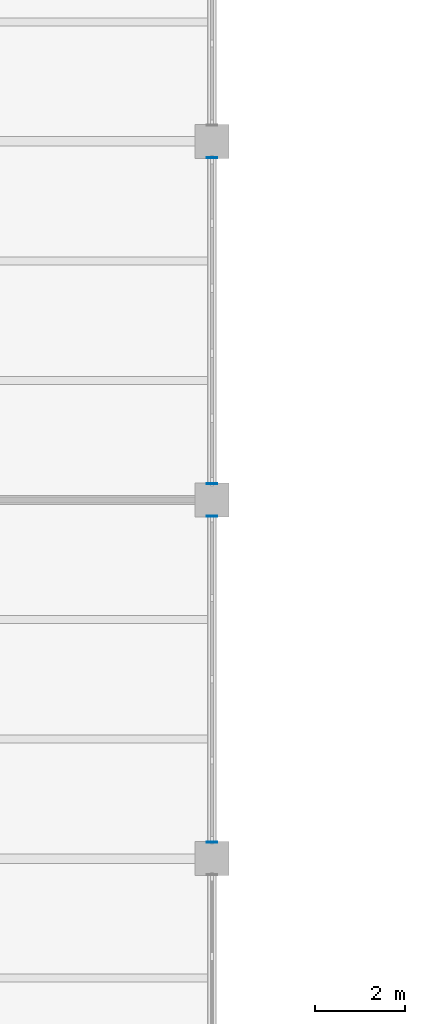
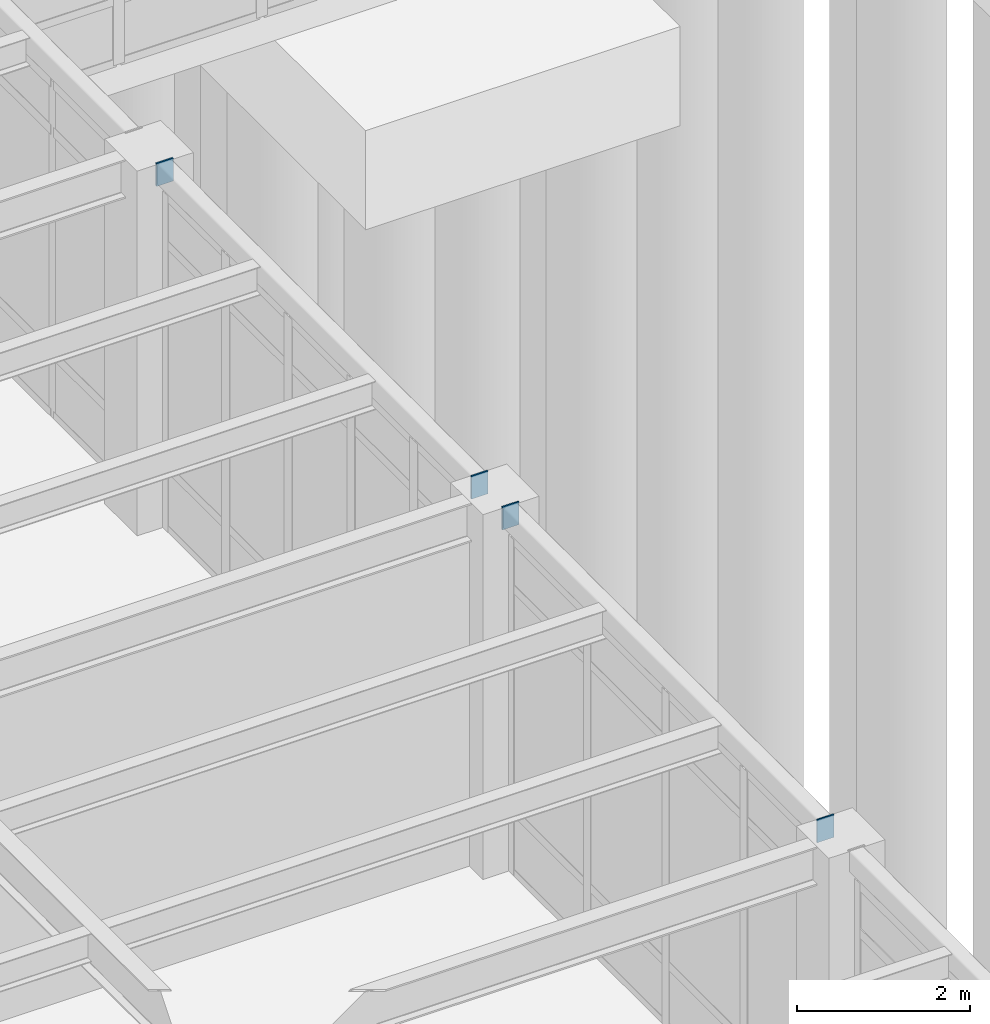
# One storey, part 102 of 138: 4 discrete accessories.
"""IFC4 building model written with IfcOpenShell, lengths in metres."""

from ifc_helpers import new_model, si_unit, direction, frame, origin, origin_2d, place, context, subcontext, project, spatial, rectangle, extrude, material, layer, layer_set, type_object, element, save


model = new_model("IFC4")

# Units and contexts
model_context = context("Model", 3, precision=1e-05, world=origin(), true_north=direction((0.0, 1.0)))
body_context = subcontext(model_context, "Body", "Model", "MODEL_VIEW")
ifc_project = project(units=[si_unit("LENGTHUNIT", "METRE"), si_unit("AREAUNIT", "SQUARE_METRE"), si_unit("VOLUMEUNIT", "CUBIC_METRE"), si_unit("PLANEANGLEUNIT", "RADIAN"), si_unit("MASSUNIT", "GRAM", prefix="KILO")], contexts=[model_context])

# Site, building, storey
site_placement = place(None, origin())
site = spatial("IfcSite", under=ifc_project, at=site_placement, CompositionType="ELEMENT")
building_placement = place(site_placement, origin())
building = spatial("IfcBuilding", under=site, at=building_placement, Name="Kranzveld Transit Interchange", CompositionType="ELEMENT")
storey_placement = place(building_placement, origin())
storey = spatial("IfcBuildingStorey", under=building, at=storey_placement, Name="L00", CompositionType="ELEMENT", Elevation=0.0)

# Discrete accessories
ifc_material = material(Name="Steel S355JR", Category="steel")
ifc_layer = layer(ifc_material, 0.02001953125)
ifc_layer_set = layer_set([ifc_layer], Name="Steel S355JR")
discrete_accessory_type = type_object("IfcDiscreteAccessoryType", Name="Hollow Section End Cap Bracket 20 S355JR", PredefinedType="BRACKET", material=ifc_layer_set)
for number, where, z_axis, x_axis, name in (
    (1, (33.60009765625, 64.368896484375, 5.0), (0.0, -1.0, 0.0), (1.0, 0.0, 0.0), "Hollow Section End Cap SP-RHS300-1"),
    (2, (33.60009765625, 71.631103515625, 5.0), (0.0, 1.0, 0.0), (-1.0, 0.0, 0.0), "Hollow Section End Cap SP-RHS300-2"),
    (3, (33.60009765625, 72.368896484375, 5.0), (0.0, -1.0, 0.0), (1.0, 0.0, 0.0), "Hollow Section End Cap SP-RHS300-1"),
    (4, (33.60009765625, 79.631103515625, 5.0), (0.0, 1.0, 0.0), (-1.0, 0.0, 0.0), "Hollow Section End Cap SP-RHS300-2"),
):
    element("IfcDiscreteAccessory", number, at=place(storey_placement, frame(where, z_axis=z_axis, x_axis=x_axis)), inside=storey, type_object=discrete_accessory_type, Name=name, PredefinedType="BRACKET", context=body_context, shape_type="SweptSolid", body=[
        extrude(rectangle(XDim=0.22412109375, YDim=0.323974609375, at=origin_2d()), origin(), (0.0, 0.0, 1.0), 0.019775390625),
    ])

save(model, "model.ifc")
